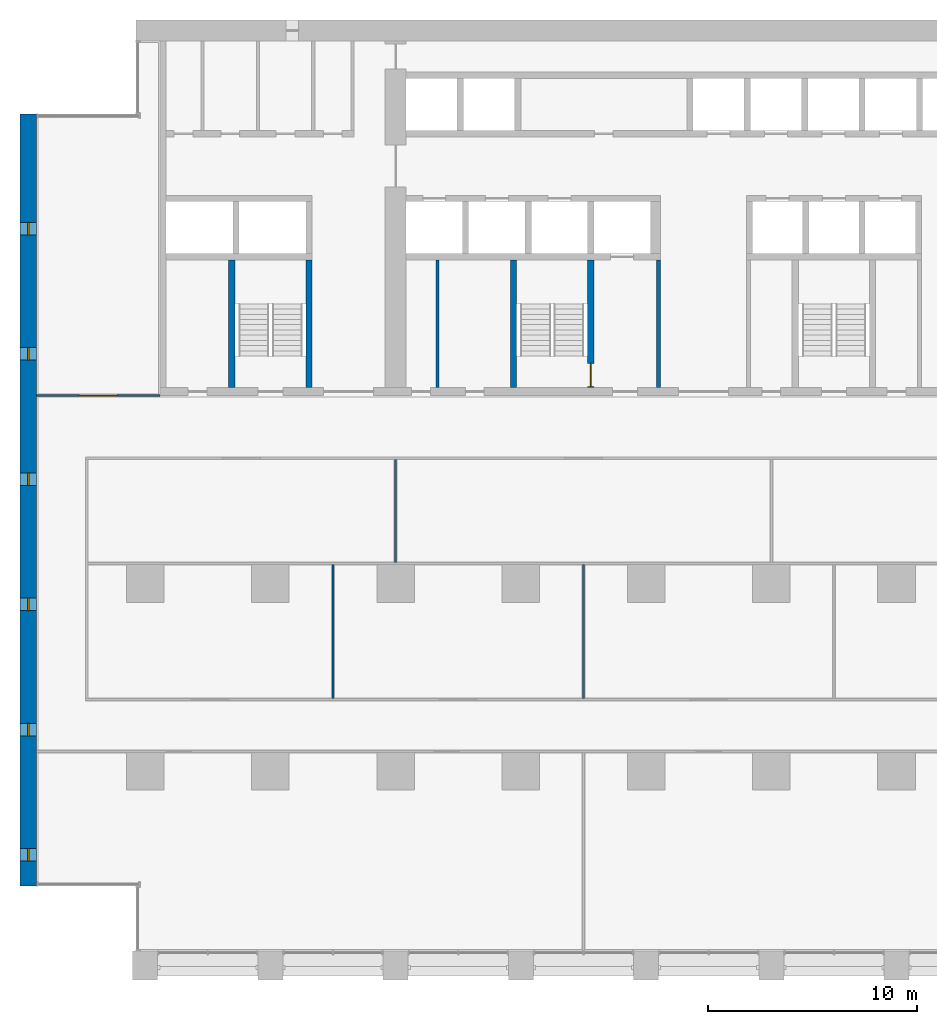
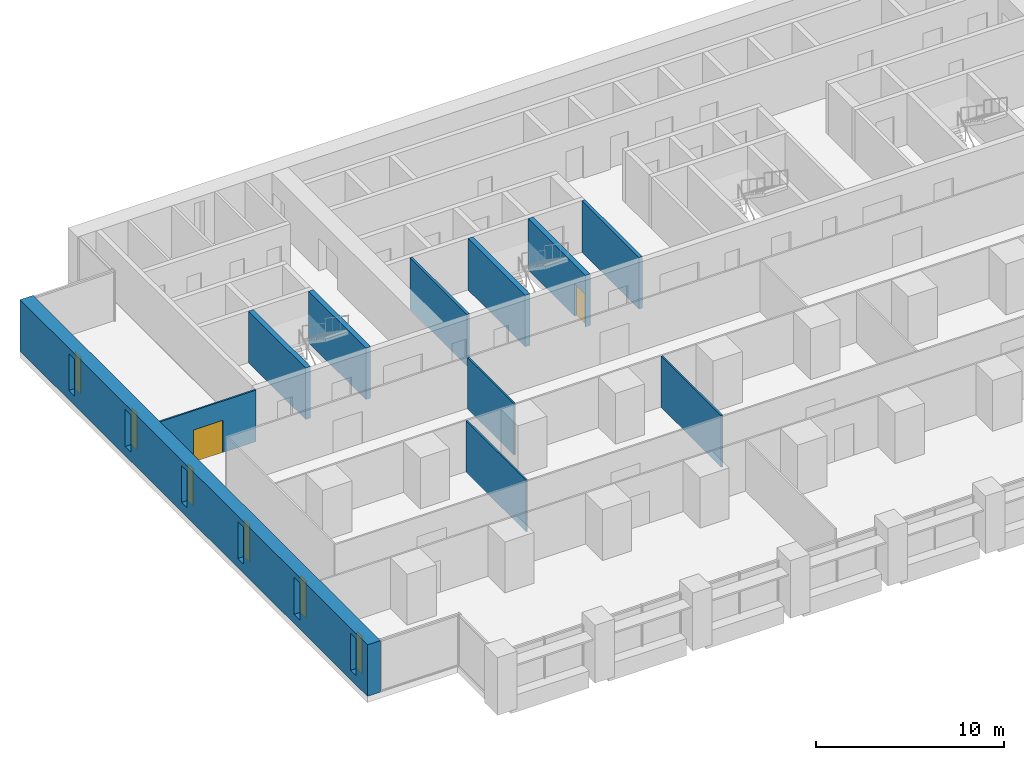
# One storey, part 8 of 18: 11 walls, 6 windows, 2 doors, 8 openings.
"""IFC4 building model written with IfcOpenShell, lengths in metres."""

from ifc_helpers import new_model, si_unit, direction, frame, frame_2d, origin, place, context, subcontext, project, spatial, rectangle, extrude, material, layer, layer_set, type_object, element, fill, save


model = new_model("IFC4")

# Units and contexts
model_context = context("Model", 3, precision=1e-05, world=origin(), true_north=direction((0.0, 1.0)))
body_context = subcontext(model_context, "Body", "Model", "MODEL_VIEW")
ifc_project = project(units=[si_unit("LENGTHUNIT", "METRE"), si_unit("AREAUNIT", "SQUARE_METRE"), si_unit("VOLUMEUNIT", "CUBIC_METRE"), si_unit("PLANEANGLEUNIT", "RADIAN"), si_unit("MASSUNIT", "GRAM", prefix="KILO")], contexts=[model_context])

# Site, building, storey
site_placement = place(None, origin())
site = spatial("IfcSite", under=ifc_project, at=site_placement, CompositionType="ELEMENT")
building_placement = place(site_placement, origin())
building = spatial("IfcBuilding", under=site, at=building_placement, Name="Calvaro Tower", CompositionType="ELEMENT")
storey_placement = place(building_placement, frame((0.0, 0.0, 30.0)))
storey = spatial("IfcBuildingStorey", under=building, at=storey_placement, Name="L06", CompositionType="ELEMENT", Elevation=30.0)

# Walls
ifc_material_1 = material(Name="Blockwork partition", Category="masonry")
ifc_layer_1 = layer(ifc_material_1, 0.14990234375)
ifc_layer_set_1 = layer_set([ifc_layer_1], Name="Blockwork partition")
wall_type_1 = type_object("IfcWallType", Name="Core partition 150 REI 120", PredefinedType="PARTITIONING", material=ifc_layer_set_1)
wall_1_placement = place(storey_placement, frame((20.0, 28.39990234375, 0.0), z_axis=(0.0, 0.0, 1.0), x_axis=(0.0, 1.0, 0.0)))
element("IfcWall", 1, at=wall_1_placement, inside=storey, type_object=wall_type_1, Name="Core partition", PredefinedType="PARTITIONING", context=body_context, shape_type="SweptSolid", body=[
    extrude(rectangle(XDim=6.10009765625, YDim=0.14990234375, at=frame_2d((3.050048828125, 0.0))), origin(), (0.0, 0.0, 1.0), 3.35009765625),
])
ifc_material_2 = material(Name="Blockwork partition", Category="masonry")
ifc_layer_2 = layer(ifc_material_2, 0.199951171875)
ifc_layer_set_2 = layer_set([ifc_layer_2], Name="Blockwork partition")
wall_type_2 = type_object("IfcWallType", Name="Core partition 200 REI 120", PredefinedType="PARTITIONING", material=ifc_layer_set_2)
wall_2_placement = place(storey_placement, frame((30.60009765625, 28.39990234375, 0.0), z_axis=(0.0, 0.0, 1.0), x_axis=(0.0, 1.0, 0.0)))
element("IfcWall", 2, at=wall_2_placement, inside=storey, type_object=wall_type_2, Name="Core partition", PredefinedType="PARTITIONING", context=body_context, shape_type="SweptSolid", body=[
    extrude(rectangle(XDim=6.10009765625, YDim=0.199951171875, at=frame_2d((3.050048828125, 0.0))), origin(), (0.0, 0.0, 1.0), 3.35009765625),
])
ifc_material_3 = material(Name="Concrete C80/95", Category="concrete")
ifc_layer_3 = layer(ifc_material_3, 0.300048828125)
ifc_layer_set_3 = layer_set([ifc_layer_3], Name="Concrete C80/95")
wall_type_3 = type_object("IfcWallType", Name="Core wall C80/95 300", PredefinedType="SHEAR", material=ifc_layer_set_3)
for number, where, z_axis, x_axis, name in (
    (3, (10.14990234375, 28.39990234375, 0.0), (0.0, 0.0, 1.0), (0.0, 1.0, 0.0), "Core wall, stair enclosure"),
    (4, (13.85009765625, 28.39990234375, 0.0), (0.0, 0.0, 1.0), (0.0, 1.0, 0.0), "Core wall, stair enclosure"),
    (5, (23.64990234375, 28.39990234375, 0.0), (0.0, 0.0, 1.0), (0.0, 1.0, 0.0), "Core wall, stair enclosure"),
):
    element("IfcWall", number, at=place(storey_placement, frame(where, z_axis=z_axis, x_axis=x_axis)), inside=storey, type_object=wall_type_3, Name=name, PredefinedType="SHEAR", context=body_context, shape_type="SweptSolid", body=[
        extrude(rectangle(XDim=6.10009765625, YDim=0.300048828125, at=frame_2d((3.050048828125, 0.0))), origin(), (0.0, 0.0, 1.0), 3.35009765625),
    ])

# Wall, opening, door
wall_3_placement = place(storey_placement, frame((27.35009765625, 28.39990234375, 0.0), z_axis=(0.0, 0.0, 1.0), x_axis=(0.0, 1.0, 0.0)))
wall_3 = element("IfcWall", 6, at=wall_3_placement, inside=storey, type_object=wall_type_3, Name="Core wall, stair enclosure", PredefinedType="SHEAR", context=body_context, shape_type="SweptSolid", body=[
    extrude(rectangle(XDim=6.10009765625, YDim=0.300048828125, at=frame_2d((3.050048828125, 0.0))), origin(), (0.0, 0.0, 1.0), 3.35009765625),
])
opening_1_placement = place(wall_3_placement, frame((0.050048828125, 0.0, 0.0)))
opening_1 = element("IfcOpeningElement", 7, at=opening_1_placement, cuts=wall_3, Name="Opening FD11D", PredefinedType="OPENING", context=body_context, shape_type="SweptSolid", body=[
    extrude(rectangle(XDim=1.10009765625, YDim=2.10009765625, at=frame_2d((0.550048828125, 1.050048828125))), frame((0.0, 0.159912109375, 0.0), z_axis=(0.0, -1.0, 0.0), x_axis=(1.0, 0.0, 0.0)), (0.0, 0.0, 1.0), 0.320068359375),
])
ifc_material_4 = material(Name="Steel door set", Category="steel")
door_type_1 = type_object("IfcDoorType", Name="Fire door 1100 FD30S", OperationType="SINGLE_SWING_LEFT", PredefinedType="DOOR", material=ifc_material_4)
door_1_placement = place(opening_1_placement, origin())
door_1 = element("IfcDoor", 8, at=door_1_placement, inside=storey, type_object=door_type_1, Name="Fire door", OperationType="SINGLE_SWING_LEFT", OverallHeight=2.10009765625, OverallWidth=1.10009765625, PredefinedType="DOOR", context=body_context, shape_type="SweptSolid", body=[
    extrude(rectangle(XDim=1.10009765625, YDim=2.10009765625, at=frame_2d((0.550048828125, 1.050048828125))), frame((0.0, 0.02490234375, 0.0), z_axis=(0.0, -1.0, 0.0), x_axis=(1.0, 0.0, 0.0)), (0.0, 0.0, 1.0), 0.050048828125),
])
fill(opening_1, door_1)

# Wall, openings, windows
ifc_material_5 = material(Name="Concrete C80/95", Category="concrete")
ifc_layer_4 = layer(ifc_material_5, 0.800048828125)
ifc_layer_set_4 = layer_set([ifc_layer_4], Name="Concrete C80/95")
wall_type_4 = type_object("IfcWallType", Name="End wall 800 C80/95", PredefinedType="SHEAR", material=ifc_layer_set_4)
wall_4_placement = place(storey_placement, frame((0.39990234375, 4.5, 0.0), z_axis=(0.0, 0.0, 1.0), x_axis=(0.0, 1.0, 0.0)))
wall_4 = element("IfcWall", 9, at=wall_4_placement, inside=storey, type_object=wall_type_4, Name="End shear wall", PredefinedType="SHEAR", context=body_context, shape_type="SweptSolid", body=[
    extrude(rectangle(XDim=37.0, YDim=0.800048828125, at=frame_2d((18.5, 0.0))), origin(), (0.0, 0.0, 1.0), 3.35009765625),
])
opening_2_placement = place(wall_4_placement, frame((1.199951171875, 0.0, 0.60009765625)))
opening_2 = element("IfcOpeningElement", 10, at=opening_2_placement, cuts=wall_4, Name="Opening WW01", PredefinedType="OPENING", context=body_context, shape_type="SweptSolid", body=[
    extrude(rectangle(XDim=0.60009765625, YDim=2.39990234375, at=frame_2d((0.300048828125, 1.199951171875))), frame((0.0, 0.409912109375, 0.0), z_axis=(0.0, -1.0, 0.0), x_axis=(1.0, 0.0, 0.0)), (0.0, 0.0, 1.0), 0.820068359375),
])
opening_3_placement = place(wall_4_placement, frame((7.199951171875, 0.0, 0.60009765625)))
opening_3 = element("IfcOpeningElement", 11, at=opening_3_placement, cuts=wall_4, Name="Opening WW02", PredefinedType="OPENING", context=body_context, shape_type="SweptSolid", body=[
    extrude(rectangle(XDim=0.60009765625, YDim=2.39990234375, at=frame_2d((0.300048828125, 1.199951171875))), frame((0.0, 0.409912109375, 0.0), z_axis=(0.0, -1.0, 0.0), x_axis=(1.0, 0.0, 0.0)), (0.0, 0.0, 1.0), 0.820068359375),
])
opening_4_placement = place(wall_4_placement, frame((13.199951171875, 0.0, 0.60009765625)))
opening_4 = element("IfcOpeningElement", 12, at=opening_4_placement, cuts=wall_4, Name="Opening WW03", PredefinedType="OPENING", context=body_context, shape_type="SweptSolid", body=[
    extrude(rectangle(XDim=0.60009765625, YDim=2.39990234375, at=frame_2d((0.300048828125, 1.199951171875))), frame((0.0, 0.409912109375, 0.0), z_axis=(0.0, -1.0, 0.0), x_axis=(1.0, 0.0, 0.0)), (0.0, 0.0, 1.0), 0.820068359375),
])
opening_5_placement = place(wall_4_placement, frame((19.199951171875, 0.0, 0.60009765625)))
opening_5 = element("IfcOpeningElement", 13, at=opening_5_placement, cuts=wall_4, Name="Opening WW04", PredefinedType="OPENING", context=body_context, shape_type="SweptSolid", body=[
    extrude(rectangle(XDim=0.60009765625, YDim=2.39990234375, at=frame_2d((0.300048828125, 1.199951171875))), frame((0.0, 0.409912109375, 0.0), z_axis=(0.0, -1.0, 0.0), x_axis=(1.0, 0.0, 0.0)), (0.0, 0.0, 1.0), 0.820068359375),
])
opening_6_placement = place(wall_4_placement, frame((25.199951171875, 0.0, 0.60009765625)))
opening_6 = element("IfcOpeningElement", 14, at=opening_6_placement, cuts=wall_4, Name="Opening WW05", PredefinedType="OPENING", context=body_context, shape_type="SweptSolid", body=[
    extrude(rectangle(XDim=0.60009765625, YDim=2.39990234375, at=frame_2d((0.300048828125, 1.199951171875))), frame((0.0, 0.409912109375, 0.0), z_axis=(0.0, -1.0, 0.0), x_axis=(1.0, 0.0, 0.0)), (0.0, 0.0, 1.0), 0.820068359375),
])
opening_7_placement = place(wall_4_placement, frame((31.199951171875, 0.0, 0.60009765625)))
opening_7 = element("IfcOpeningElement", 15, at=opening_7_placement, cuts=wall_4, Name="Opening WW06", PredefinedType="OPENING", context=body_context, shape_type="SweptSolid", body=[
    extrude(rectangle(XDim=0.60009765625, YDim=2.39990234375, at=frame_2d((0.300048828125, 1.199951171875))), frame((0.0, 0.409912109375, 0.0), z_axis=(0.0, -1.0, 0.0), x_axis=(1.0, 0.0, 0.0)), (0.0, 0.0, 1.0), 0.820068359375),
])
ifc_material_6 = material(Name="Glass", Category="glass")
window_type = type_object("IfcWindowType", Name="Slit window 600 x 2400", PartitioningType="SINGLE_PANEL", PredefinedType="WINDOW", material=ifc_material_6)
window_1_placement = place(opening_2_placement, origin())
window_1 = element("IfcWindow", 16, at=window_1_placement, inside=storey, type_object=window_type, Name="Window WW01", OverallHeight=2.39990234375, OverallWidth=0.60009765625, PartitioningType="SINGLE_PANEL", PredefinedType="WINDOW", context=body_context, shape_type="SweptSolid", body=[
    extrude(rectangle(XDim=0.60009765625, YDim=2.39990234375, at=frame_2d((0.300048828125, 1.199951171875))), frame((0.0, 0.030029296875, 0.0), z_axis=(0.0, -1.0, 0.0), x_axis=(1.0, 0.0, 0.0)), (0.0, 0.0, 1.0), 0.06005859375),
])
fill(opening_2, window_1)
window_2_placement = place(opening_3_placement, origin())
window_2 = element("IfcWindow", 17, at=window_2_placement, inside=storey, type_object=window_type, Name="Window WW02", OverallHeight=2.39990234375, OverallWidth=0.60009765625, PartitioningType="SINGLE_PANEL", PredefinedType="WINDOW", context=body_context, shape_type="SweptSolid", body=[
    extrude(rectangle(XDim=0.60009765625, YDim=2.39990234375, at=frame_2d((0.300048828125, 1.199951171875))), frame((0.0, 0.030029296875, 0.0), z_axis=(0.0, -1.0, 0.0), x_axis=(1.0, 0.0, 0.0)), (0.0, 0.0, 1.0), 0.06005859375),
])
fill(opening_3, window_2)
window_3_placement = place(opening_4_placement, origin())
window_3 = element("IfcWindow", 18, at=window_3_placement, inside=storey, type_object=window_type, Name="Window WW03", OverallHeight=2.39990234375, OverallWidth=0.60009765625, PartitioningType="SINGLE_PANEL", PredefinedType="WINDOW", context=body_context, shape_type="SweptSolid", body=[
    extrude(rectangle(XDim=0.60009765625, YDim=2.39990234375, at=frame_2d((0.300048828125, 1.199951171875))), frame((0.0, 0.030029296875, 0.0), z_axis=(0.0, -1.0, 0.0), x_axis=(1.0, 0.0, 0.0)), (0.0, 0.0, 1.0), 0.06005859375),
])
fill(opening_4, window_3)
window_4_placement = place(opening_5_placement, origin())
window_4 = element("IfcWindow", 19, at=window_4_placement, inside=storey, type_object=window_type, Name="Window WW04", OverallHeight=2.39990234375, OverallWidth=0.60009765625, PartitioningType="SINGLE_PANEL", PredefinedType="WINDOW", context=body_context, shape_type="SweptSolid", body=[
    extrude(rectangle(XDim=0.60009765625, YDim=2.39990234375, at=frame_2d((0.300048828125, 1.199951171875))), frame((0.0, 0.030029296875, 0.0), z_axis=(0.0, -1.0, 0.0), x_axis=(1.0, 0.0, 0.0)), (0.0, 0.0, 1.0), 0.06005859375),
])
fill(opening_5, window_4)
window_5_placement = place(opening_6_placement, origin())
window_5 = element("IfcWindow", 20, at=window_5_placement, inside=storey, type_object=window_type, Name="Window WW05", OverallHeight=2.39990234375, OverallWidth=0.60009765625, PartitioningType="SINGLE_PANEL", PredefinedType="WINDOW", context=body_context, shape_type="SweptSolid", body=[
    extrude(rectangle(XDim=0.60009765625, YDim=2.39990234375, at=frame_2d((0.300048828125, 1.199951171875))), frame((0.0, 0.030029296875, 0.0), z_axis=(0.0, -1.0, 0.0), x_axis=(1.0, 0.0, 0.0)), (0.0, 0.0, 1.0), 0.06005859375),
])
fill(opening_6, window_5)
window_6_placement = place(opening_7_placement, origin())
window_6 = element("IfcWindow", 21, at=window_6_placement, inside=storey, type_object=window_type, Name="Window WW06", OverallHeight=2.39990234375, OverallWidth=0.60009765625, PartitioningType="SINGLE_PANEL", PredefinedType="WINDOW", context=body_context, shape_type="SweptSolid", body=[
    extrude(rectangle(XDim=0.60009765625, YDim=2.39990234375, at=frame_2d((0.300048828125, 1.199951171875))), frame((0.0, 0.030029296875, 0.0), z_axis=(0.0, -1.0, 0.0), x_axis=(1.0, 0.0, 0.0)), (0.0, 0.0, 1.0), 0.06005859375),
])
fill(opening_7, window_6)

# Wall, opening, door
ifc_material_7 = material(Name="Plasterboard on steel studs", Category="steel")
ifc_layer_5 = layer(ifc_material_7, 0.10009765625)
ifc_layer_set_5 = layer_set([ifc_layer_5], Name="Plasterboard on steel studs")
wall_type_5 = type_object("IfcWallType", Name="Partition 100", PredefinedType="PARTITIONING", material=ifc_layer_set_5)
wall_5_placement = place(storey_placement, frame((0.800048828125, 28.0, 0.0), z_axis=(0.0, 0.0, 1.0), x_axis=(1.0, 0.0, 0.0)))
wall_5 = element("IfcWall", 22, at=wall_5_placement, inside=storey, type_object=wall_type_5, Name="Partition T08.W005", PredefinedType="PARTITIONING", context=body_context, shape_type="SweptSolid", body=[
    extrude(rectangle(XDim=5.89990234375, YDim=0.10009765625, at=frame_2d((2.949951171875, 0.0))), origin(), (0.0, 0.0, 1.0), 3.35009765625),
])
opening_8_placement = place(wall_5_placement, frame((2.050048828125, 0.0, 0.0)))
opening_8 = element("IfcOpeningElement", 23, at=opening_8_placement, cuts=wall_5, Name="Opening T08.017", PredefinedType="OPENING", context=body_context, shape_type="SweptSolid", body=[
    extrude(rectangle(XDim=1.800048828125, YDim=2.10009765625, at=frame_2d((0.89990234375, 1.050048828125))), frame((0.0, 0.06005859375, 0.0), z_axis=(0.0, -1.0, 0.0), x_axis=(1.0, 0.0, 0.0)), (0.0, 0.0, 1.0), 0.1201171875),
])
ifc_material_8 = material(Name="Timber", Category="wood")
door_type_2 = type_object("IfcDoorType", Name="Internal double door 1800 x 2100", OperationType="DOUBLE_DOOR_SINGLE_SWING", PredefinedType="DOOR", material=ifc_material_8)
door_2_placement = place(opening_8_placement, origin())
door_2 = element("IfcDoor", 24, at=door_2_placement, inside=storey, type_object=door_type_2, Name="Door T08.017", OperationType="DOUBLE_DOOR_SINGLE_SWING", OverallHeight=2.10009765625, OverallWidth=1.800048828125, PredefinedType="DOOR", context=body_context, shape_type="SweptSolid", body=[
    extrude(rectangle(XDim=1.800048828125, YDim=2.10009765625, at=frame_2d((0.89990234375, 1.050048828125))), frame((0.0, 0.02490234375, 0.0), z_axis=(0.0, -1.0, 0.0), x_axis=(1.0, 0.0, 0.0)), (0.0, 0.0, 1.0), 0.050048828125),
])
fill(opening_8, door_2)

# Walls
wall_6_placement = place(storey_placement, frame((15.0, 13.5, 0.0), z_axis=(0.0, 0.0, 1.0), x_axis=(0.0, 1.0, 0.0)))
element("IfcWall", 25, at=wall_6_placement, inside=storey, type_object=wall_type_5, Name="Partition T08.W008", PredefinedType="PARTITIONING", context=body_context, shape_type="SweptSolid", body=[
    extrude(rectangle(XDim=6.39990234375, YDim=0.10009765625, at=frame_2d((3.199951171875, 0.0))), origin(), (0.0, 0.0, 1.0), 3.35009765625),
])
wall_7_placement = place(storey_placement, frame((18.0, 20.0, 0.0), z_axis=(0.0, 0.0, 1.0), x_axis=(0.0, 1.0, 0.0)))
element("IfcWall", 26, at=wall_7_placement, inside=storey, type_object=wall_type_5, Name="Partition T08.W009", PredefinedType="PARTITIONING", context=body_context, shape_type="SweptSolid", body=[
    extrude(rectangle(XDim=4.949951171875, YDim=0.10009765625, at=frame_2d((2.47509765625, 0.0))), origin(), (0.0, 0.0, 1.0), 3.35009765625),
])
wall_8_placement = place(storey_placement, frame((27.0, 13.5, 0.0), z_axis=(0.0, 0.0, 1.0), x_axis=(0.0, 1.0, 0.0)))
element("IfcWall", 27, at=wall_8_placement, inside=storey, type_object=wall_type_5, Name="Partition T08.W011", PredefinedType="PARTITIONING", context=body_context, shape_type="SweptSolid", body=[
    extrude(rectangle(XDim=6.39990234375, YDim=0.10009765625, at=frame_2d((3.199951171875, 0.0))), origin(), (0.0, 0.0, 1.0), 3.35009765625),
])

save(model, "model.ifc")
